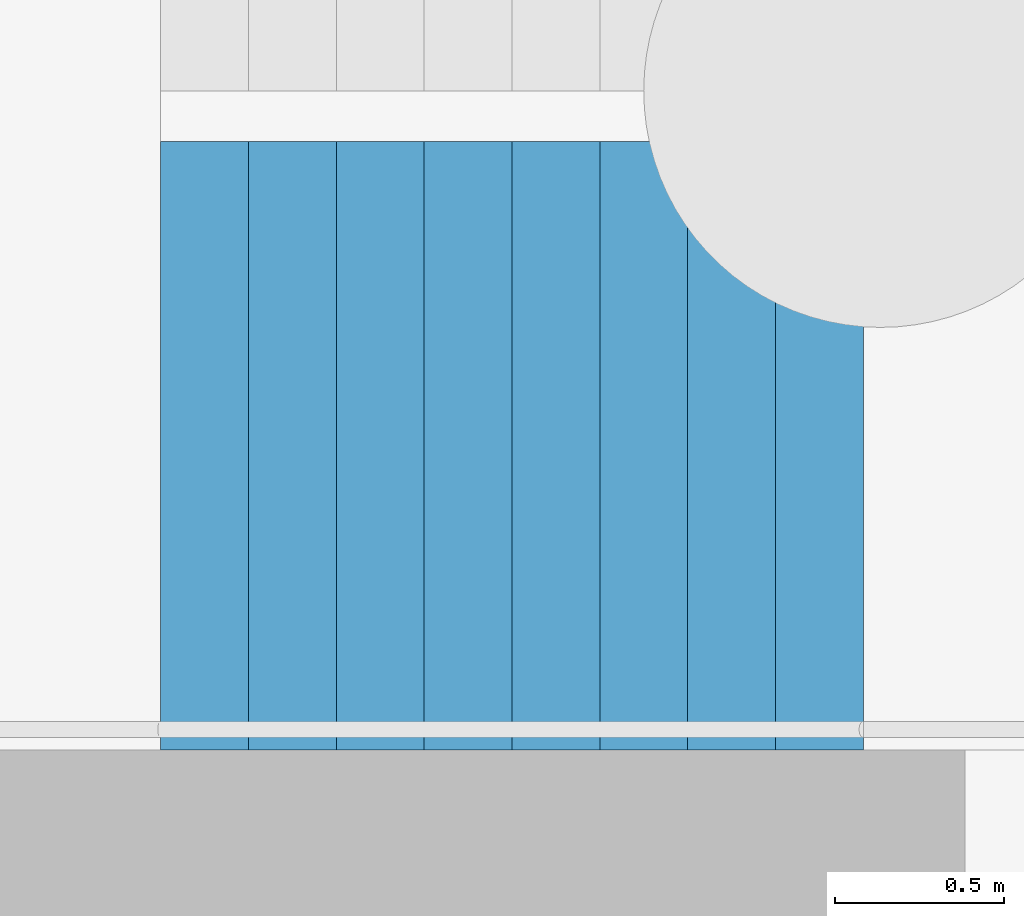
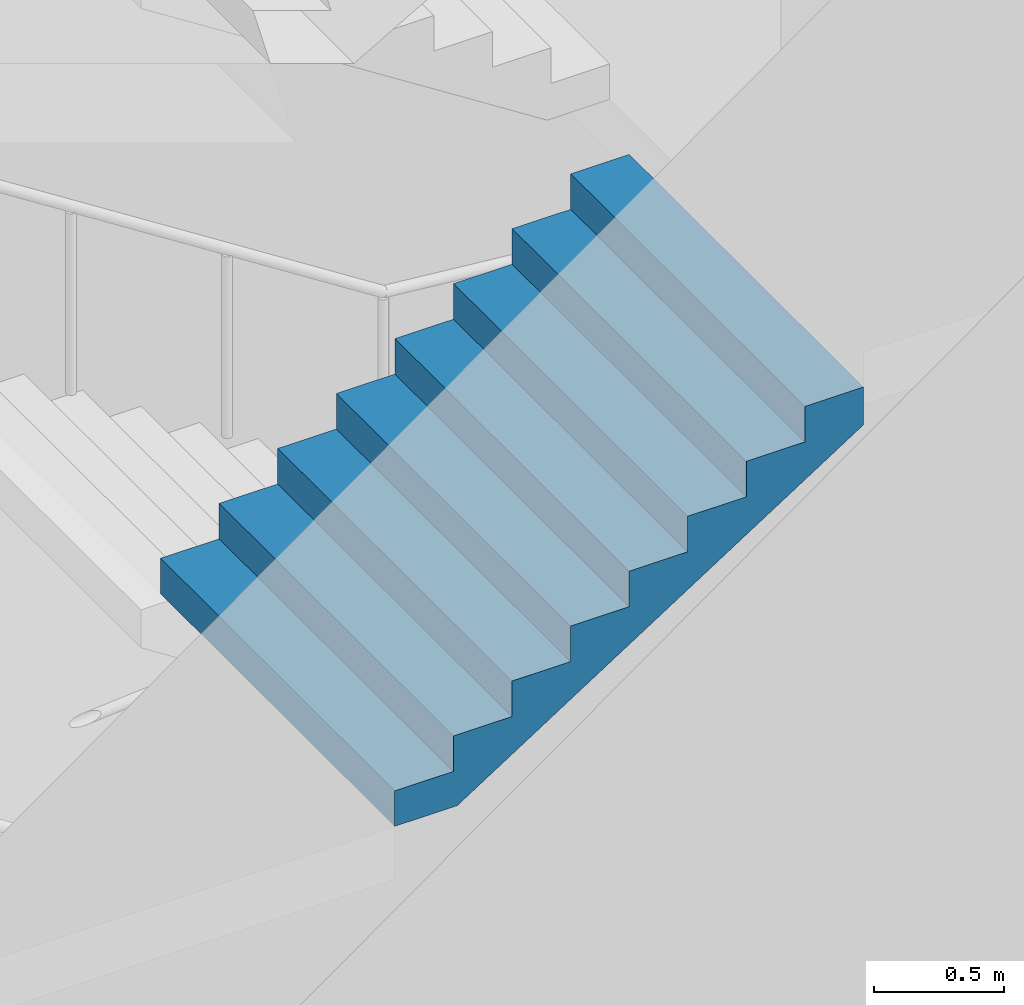
# One storey, part 53 of 113: 1 stair flight, 1 element without a shape of its own.
"""IFC4 building model written with IfcOpenShell, lengths in metres."""

from ifc_helpers import new_model, si_unit, direction, frame, origin, place, context, subcontext, project, spatial, triangles, material, type_object, element, aggregate, save


model = new_model("IFC4")

# Units and contexts
model_context = context("Model", 3, precision=1e-05, world=origin(), true_north=direction((0.0, 1.0)))
body_context = subcontext(model_context, "Body", "Model", "MODEL_VIEW")
ifc_project = project(units=[si_unit("LENGTHUNIT", "METRE"), si_unit("AREAUNIT", "SQUARE_METRE"), si_unit("VOLUMEUNIT", "CUBIC_METRE"), si_unit("PLANEANGLEUNIT", "RADIAN"), si_unit("MASSUNIT", "GRAM", prefix="KILO")], contexts=[model_context])

# Site, building, storey
site_placement = place(None, origin())
site = spatial("IfcSite", under=ifc_project, at=site_placement, CompositionType="ELEMENT")
building_placement = place(site_placement, origin())
building = spatial("IfcBuilding", under=site, at=building_placement, Name="Hakoniwa Tower and Hamabe Station Hall", CompositionType="ELEMENT")
storey_placement = place(building_placement, origin())
storey = spatial("IfcBuildingStorey", under=building, at=storey_placement, Name="L01", CompositionType="ELEMENT", Elevation=0.0)

# Stair, stair flight
ifc_material_1 = material(Name="Concrete C40", Category="concrete")
stair_type = type_object("IfcStairType", Name="ESCAPE STAIR 1800", PredefinedType="HALF_TURN_STAIR", material=ifc_material_1)
stair_placement = place(storey_placement, origin())
stair = element("IfcStair", 1, at=stair_placement, inside=storey, type_object=stair_type, Name="Escape stair ST-2 L01", PredefinedType="HALF_TURN_STAIR")
ifc_material_2 = material(Name="Concrete C40", Category="concrete")
stair_flight_type = type_object("IfcStairFlightType", Name="STAIR FLIGHT 1800", PredefinedType="STRAIGHT", material=ifc_material_2)
stair_flight_placement = place(storey_placement, frame((-25.47998046875, -6.60009765625, 4.5), z_axis=(0.0, 0.0, 1.0), x_axis=(1.0, 0.0, 0.0)))
stair_flight = element("IfcStairFlight", 2, at=stair_flight_placement, type_object=stair_flight_type, Name="ST-2 flight 4", NumberOfRisers=9, NumberOfTreads=8, PredefinedType="STRAIGHT", RiserHeight=0.166666667, TreadLength=0.26, context=body_context, shape_type="Tessellation", body=[
    triangles([(0.0, 0.89990234375, 0.0), (0.260009765625, 0.89990234375, 0.0), (0.27783203125, 0.89990234375, 0.0), (0.52001953125, 0.89990234375, 0.1552734375), (0.780029296875, 0.89990234375, 0.322021484375), (1.0400390625, 0.89990234375, 0.488525390625), (1.300048828125, 0.89990234375, 0.6552734375), (1.56005859375, 0.89990234375, 0.822021484375), (1.820068359375, 0.89990234375, 0.988525390625), (2.080078125, 0.89990234375, 1.1552734375), (2.080078125, 0.89990234375, 1.333251953125), (1.820068359375, 0.89990234375, 1.333251953125), (1.820068359375, 0.89990234375, 1.166748046875), (1.56005859375, 0.89990234375, 1.166748046875), (1.56005859375, 0.89990234375, 1.0), (1.300048828125, 0.89990234375, 1.0), (1.300048828125, 0.89990234375, 0.833251953125), (1.0400390625, 0.89990234375, 0.833251953125), (1.0400390625, 0.89990234375, 0.666748046875), (0.780029296875, 0.89990234375, 0.666748046875), (0.780029296875, 0.89990234375, 0.5), (0.52001953125, 0.89990234375, 0.5), (0.52001953125, 0.89990234375, 0.333251953125), (0.27783203125, 0.89990234375, 0.333251953125), (0.260009765625, 0.89990234375, 0.333251953125), (0.260009765625, 0.89990234375, 0.166748046875), (0.0, 0.89990234375, 0.166748046875), (0.0, 0.06005859375, 0.0), (0.260009765625, 0.06005859375, 0.0), (0.27783203125, 0.06005859375, 0.0), (0.52001953125, 0.06005859375, 0.1552734375), (0.780029296875, 0.06005859375, 0.322021484375), (1.0400390625, 0.06005859375, 0.488525390625), (1.300048828125, 0.06005859375, 0.6552734375), (1.56005859375, 0.06005859375, 0.822021484375), (1.820068359375, 0.06005859375, 0.988525390625), (2.080078125, 0.06005859375, 1.1552734375), (2.080078125, 0.06005859375, 1.333251953125), (1.820068359375, 0.06005859375, 1.333251953125), (1.820068359375, 0.06005859375, 1.166748046875), (1.56005859375, 0.06005859375, 1.166748046875), (1.56005859375, 0.06005859375, 1.0), (1.300048828125, 0.06005859375, 1.0), (1.300048828125, 0.06005859375, 0.833251953125), (1.0400390625, 0.06005859375, 0.833251953125), (1.0400390625, 0.06005859375, 0.666748046875), (0.780029296875, 0.06005859375, 0.666748046875), (0.780029296875, 0.06005859375, 0.5), (0.52001953125, 0.06005859375, 0.5), (0.52001953125, 0.06005859375, 0.333251953125), (0.27783203125, 0.06005859375, 0.333251953125), (0.260009765625, 0.06005859375, 0.333251953125), (0.260009765625, 0.06005859375, 0.166748046875), (0.0, 0.06005859375, 0.166748046875), (0.0, 0.04296875, 0.0), (0.260009765625, 0.04296875, 0.0), (0.27783203125, 0.04296875, 0.0), (0.52001953125, 0.04296875, 0.1552734375), (0.780029296875, 0.04296875, 0.322021484375), (1.0400390625, 0.04296875, 0.488525390625), (1.300048828125, 0.04296875, 0.6552734375), (1.56005859375, 0.04296875, 0.822021484375), (1.820068359375, 0.04296875, 0.988525390625), (2.080078125, 0.04296875, 1.1552734375), (2.080078125, 0.04296875, 1.333251953125), (1.820068359375, 0.04296875, 1.333251953125), (1.820068359375, 0.04296875, 1.166748046875), (1.56005859375, 0.04296875, 1.166748046875), (1.56005859375, 0.04296875, 1.0), (1.300048828125, 0.04296875, 1.0), (1.300048828125, 0.04296875, 0.833251953125), (1.0400390625, 0.04296875, 0.833251953125), (1.0400390625, 0.04296875, 0.666748046875), (0.780029296875, 0.04296875, 0.666748046875), (0.780029296875, 0.04296875, 0.5), (0.52001953125, 0.04296875, 0.5), (0.52001953125, 0.04296875, 0.333251953125), (0.27783203125, 0.04296875, 0.333251953125), (0.260009765625, 0.04296875, 0.333251953125), (0.260009765625, 0.04296875, 0.166748046875), (0.0, 0.04296875, 0.166748046875), (0.0, 0.025634765625, 0.0), (0.260009765625, 0.025634765625, 0.0), (0.27783203125, 0.025634765625, 0.0), (0.52001953125, 0.025634765625, 0.1552734375), (0.780029296875, 0.025634765625, 0.322021484375), (1.0400390625, 0.025634765625, 0.488525390625), (1.300048828125, 0.025634765625, 0.6552734375), (1.56005859375, 0.025634765625, 0.822021484375), (1.820068359375, 0.025634765625, 0.988525390625), (2.080078125, 0.025634765625, 1.1552734375), (2.080078125, 0.025634765625, 1.333251953125), (1.820068359375, 0.025634765625, 1.333251953125), (1.820068359375, 0.025634765625, 1.166748046875), (1.56005859375, 0.025634765625, 1.166748046875), (1.56005859375, 0.025634765625, 1.0), (1.300048828125, 0.025634765625, 1.0), (1.300048828125, 0.025634765625, 0.833251953125), (1.0400390625, 0.025634765625, 0.833251953125), (1.0400390625, 0.025634765625, 0.666748046875), (0.780029296875, 0.025634765625, 0.666748046875), (0.780029296875, 0.025634765625, 0.5), (0.52001953125, 0.025634765625, 0.5), (0.52001953125, 0.025634765625, 0.333251953125), (0.27783203125, 0.025634765625, 0.333251953125), (0.260009765625, 0.025634765625, 0.333251953125), (0.260009765625, 0.025634765625, 0.166748046875), (0.0, 0.025634765625, 0.166748046875), (0.0, 0.008544921875, 0.0), (0.260009765625, 0.008544921875, 0.0), (0.27783203125, 0.008544921875, 0.0), (0.52001953125, 0.008544921875, 0.1552734375), (0.780029296875, 0.008544921875, 0.322021484375), (1.0400390625, 0.008544921875, 0.488525390625), (1.300048828125, 0.008544921875, 0.6552734375), (1.56005859375, 0.008544921875, 0.822021484375), (1.820068359375, 0.008544921875, 0.988525390625), (2.080078125, 0.008544921875, 1.1552734375), (2.080078125, 0.008544921875, 1.333251953125), (1.820068359375, 0.008544921875, 1.333251953125), (1.820068359375, 0.008544921875, 1.166748046875), (1.56005859375, 0.008544921875, 1.166748046875), (1.56005859375, 0.008544921875, 1.0), (1.300048828125, 0.008544921875, 1.0), (1.300048828125, 0.008544921875, 0.833251953125), (1.0400390625, 0.008544921875, 0.833251953125), (1.0400390625, 0.008544921875, 0.666748046875), (0.780029296875, 0.008544921875, 0.666748046875), (0.780029296875, 0.008544921875, 0.5), (0.52001953125, 0.008544921875, 0.5), (0.52001953125, 0.008544921875, 0.333251953125), (0.27783203125, 0.008544921875, 0.333251953125), (0.260009765625, 0.008544921875, 0.333251953125), (0.260009765625, 0.008544921875, 0.166748046875), (0.0, 0.008544921875, 0.166748046875), (0.0, -0.008544921875, 0.0), (0.260009765625, -0.008544921875, 0.0), (0.27783203125, -0.008544921875, 0.0), (0.52001953125, -0.008544921875, 0.1552734375), (0.780029296875, -0.008544921875, 0.322021484375), (1.0400390625, -0.008544921875, 0.488525390625), (1.300048828125, -0.008544921875, 0.6552734375), (1.56005859375, -0.008544921875, 0.822021484375), (1.820068359375, -0.008544921875, 0.988525390625), (2.080078125, -0.008544921875, 1.1552734375), (2.080078125, -0.008544921875, 1.333251953125), (1.820068359375, -0.008544921875, 1.333251953125), (1.820068359375, -0.008544921875, 1.166748046875), (1.56005859375, -0.008544921875, 1.166748046875), (1.56005859375, -0.008544921875, 1.0), (1.300048828125, -0.008544921875, 1.0), (1.300048828125, -0.008544921875, 0.833251953125), (1.0400390625, -0.008544921875, 0.833251953125), (1.0400390625, -0.008544921875, 0.666748046875), (0.780029296875, -0.008544921875, 0.666748046875), (0.780029296875, -0.008544921875, 0.5), (0.52001953125, -0.008544921875, 0.5), (0.52001953125, -0.008544921875, 0.333251953125), (0.27783203125, -0.008544921875, 0.333251953125), (0.260009765625, -0.008544921875, 0.333251953125), (0.260009765625, -0.008544921875, 0.166748046875), (0.0, -0.008544921875, 0.166748046875), (0.0, -0.025634765625, 0.0), (0.260009765625, -0.025634765625, 0.0), (0.27783203125, -0.025634765625, 0.0), (0.52001953125, -0.025634765625, 0.1552734375), (0.780029296875, -0.025634765625, 0.322021484375), (1.0400390625, -0.025634765625, 0.488525390625), (1.300048828125, -0.025634765625, 0.6552734375), (1.56005859375, -0.025634765625, 0.822021484375), (1.820068359375, -0.025634765625, 0.988525390625), (2.080078125, -0.025634765625, 1.1552734375), (2.080078125, -0.025634765625, 1.333251953125), (1.820068359375, -0.025634765625, 1.333251953125), (1.820068359375, -0.025634765625, 1.166748046875), (1.56005859375, -0.025634765625, 1.166748046875), (1.56005859375, -0.025634765625, 1.0), (1.300048828125, -0.025634765625, 1.0), (1.300048828125, -0.025634765625, 0.833251953125), (1.0400390625, -0.025634765625, 0.833251953125), (1.0400390625, -0.025634765625, 0.666748046875), (0.780029296875, -0.025634765625, 0.666748046875), (0.780029296875, -0.025634765625, 0.5), (0.52001953125, -0.025634765625, 0.5), (0.52001953125, -0.025634765625, 0.333251953125), (0.27783203125, -0.025634765625, 0.333251953125), (0.260009765625, -0.025634765625, 0.333251953125), (0.260009765625, -0.025634765625, 0.166748046875), (0.0, -0.025634765625, 0.166748046875), (0.0, -0.04296875, 0.0), (0.260009765625, -0.04296875, 0.0), (0.27783203125, -0.04296875, 0.0), (0.52001953125, -0.04296875, 0.1552734375), (0.780029296875, -0.04296875, 0.322021484375), (1.0400390625, -0.04296875, 0.488525390625), (1.300048828125, -0.04296875, 0.6552734375), (1.56005859375, -0.04296875, 0.822021484375), (1.820068359375, -0.04296875, 0.988525390625), (2.080078125, -0.04296875, 1.1552734375), (2.080078125, -0.04296875, 1.333251953125), (1.820068359375, -0.04296875, 1.333251953125), (1.820068359375, -0.04296875, 1.166748046875), (1.56005859375, -0.04296875, 1.166748046875), (1.56005859375, -0.04296875, 1.0), (1.300048828125, -0.04296875, 1.0), (1.300048828125, -0.04296875, 0.833251953125), (1.0400390625, -0.04296875, 0.833251953125), (1.0400390625, -0.04296875, 0.666748046875), (0.780029296875, -0.04296875, 0.666748046875), (0.780029296875, -0.04296875, 0.5), (0.52001953125, -0.04296875, 0.5), (0.52001953125, -0.04296875, 0.333251953125), (0.27783203125, -0.04296875, 0.333251953125), (0.260009765625, -0.04296875, 0.333251953125), (0.260009765625, -0.04296875, 0.166748046875), (0.0, -0.04296875, 0.166748046875), (0.0, -0.06005859375, 0.0), (0.260009765625, -0.06005859375, 0.0), (0.27783203125, -0.06005859375, 0.0), (0.52001953125, -0.06005859375, 0.1552734375), (0.780029296875, -0.06005859375, 0.322021484375), (1.0400390625, -0.06005859375, 0.488525390625), (1.300048828125, -0.06005859375, 0.6552734375), (1.56005859375, -0.06005859375, 0.822021484375), (1.820068359375, -0.06005859375, 0.988525390625), (2.080078125, -0.06005859375, 1.1552734375), (2.080078125, -0.06005859375, 1.333251953125), (1.820068359375, -0.06005859375, 1.333251953125), (1.820068359375, -0.06005859375, 1.166748046875), (1.56005859375, -0.06005859375, 1.166748046875), (1.56005859375, -0.06005859375, 1.0), (1.300048828125, -0.06005859375, 1.0), (1.300048828125, -0.06005859375, 0.833251953125), (1.0400390625, -0.06005859375, 0.833251953125), (1.0400390625, -0.06005859375, 0.666748046875), (0.780029296875, -0.06005859375, 0.666748046875), (0.780029296875, -0.06005859375, 0.5), (0.52001953125, -0.06005859375, 0.5), (0.52001953125, -0.06005859375, 0.333251953125), (0.27783203125, -0.06005859375, 0.333251953125), (0.260009765625, -0.06005859375, 0.333251953125), (0.260009765625, -0.06005859375, 0.166748046875), (0.0, -0.06005859375, 0.166748046875), (0.0, -0.89990234375, 0.0), (0.260009765625, -0.89990234375, 0.0), (0.27783203125, -0.89990234375, 0.0), (0.52001953125, -0.89990234375, 0.1552734375), (0.780029296875, -0.89990234375, 0.322021484375), (1.0400390625, -0.89990234375, 0.488525390625), (1.300048828125, -0.89990234375, 0.6552734375), (1.56005859375, -0.89990234375, 0.822021484375), (1.820068359375, -0.89990234375, 0.988525390625), (2.080078125, -0.89990234375, 1.1552734375), (2.080078125, -0.89990234375, 1.333251953125), (1.820068359375, -0.89990234375, 1.333251953125), (1.820068359375, -0.89990234375, 1.166748046875), (1.56005859375, -0.89990234375, 1.166748046875), (1.56005859375, -0.89990234375, 1.0), (1.300048828125, -0.89990234375, 1.0), (1.300048828125, -0.89990234375, 0.833251953125), (1.0400390625, -0.89990234375, 0.833251953125), (1.0400390625, -0.89990234375, 0.666748046875), (0.780029296875, -0.89990234375, 0.666748046875), (0.780029296875, -0.89990234375, 0.5), (0.52001953125, -0.89990234375, 0.5), (0.52001953125, -0.89990234375, 0.333251953125), (0.27783203125, -0.89990234375, 0.333251953125), (0.260009765625, -0.89990234375, 0.333251953125), (0.260009765625, -0.89990234375, 0.166748046875), (0.0, -0.89990234375, 0.166748046875)], [[2, 27, 26], [245, 269, 270], [2, 1, 27], [245, 270, 244], [3, 25, 24], [246, 267, 268], [3, 26, 25], [246, 268, 269], [3, 2, 26], [246, 269, 245], [4, 24, 23], [247, 266, 267], [4, 3, 24], [247, 267, 246], [5, 22, 21], [248, 264, 265], [5, 23, 22], [248, 265, 266], [5, 4, 23], [248, 266, 247], [6, 20, 19], [249, 262, 263], [6, 21, 20], [249, 263, 264], [6, 5, 21], [249, 264, 248], [7, 18, 17], [250, 260, 261], [7, 19, 18], [250, 261, 262], [7, 6, 19], [250, 262, 249], [8, 16, 15], [251, 258, 259], [8, 17, 16], [251, 259, 260], [8, 7, 17], [251, 260, 250], [9, 14, 13], [252, 256, 257], [9, 15, 14], [252, 257, 258], [9, 8, 15], [252, 258, 251], [10, 12, 11], [253, 254, 255], [10, 13, 12], [253, 255, 256], [10, 9, 13], [253, 256, 252], [1, 2, 29], [1, 29, 28], [28, 29, 56], [28, 56, 55], [55, 56, 83], [55, 83, 82], [82, 83, 110], [82, 110, 109], [109, 110, 137], [109, 137, 136], [136, 137, 164], [136, 164, 163], [163, 164, 191], [163, 191, 190], [190, 191, 218], [190, 218, 217], [217, 218, 245], [217, 245, 244], [2, 3, 30], [2, 30, 29], [29, 30, 57], [29, 57, 56], [56, 57, 84], [56, 84, 83], [83, 84, 111], [83, 111, 110], [110, 111, 138], [110, 138, 137], [137, 138, 165], [137, 165, 164], [164, 165, 192], [164, 192, 191], [191, 192, 219], [191, 219, 218], [218, 219, 246], [218, 246, 245], [3, 4, 31], [3, 31, 30], [30, 31, 58], [30, 58, 57], [57, 58, 85], [57, 85, 84], [84, 85, 112], [84, 112, 111], [111, 112, 139], [111, 139, 138], [138, 139, 166], [138, 166, 165], [165, 166, 193], [165, 193, 192], [192, 193, 220], [192, 220, 219], [219, 220, 247], [219, 247, 246], [4, 5, 32], [4, 32, 31], [31, 32, 59], [31, 59, 58], [58, 59, 86], [58, 86, 85], [85, 86, 113], [85, 113, 112], [112, 113, 140], [112, 140, 139], [139, 140, 167], [139, 167, 166], [166, 167, 194], [166, 194, 193], [193, 194, 221], [193, 221, 220], [220, 221, 248], [220, 248, 247], [5, 6, 33], [5, 33, 32], [32, 33, 60], [32, 60, 59], [59, 60, 87], [59, 87, 86], [86, 87, 114], [86, 114, 113], [113, 114, 141], [113, 141, 140], [140, 141, 168], [140, 168, 167], [167, 168, 195], [167, 195, 194], [194, 195, 222], [194, 222, 221], [221, 222, 249], [221, 249, 248], [6, 7, 34], [6, 34, 33], [33, 34, 61], [33, 61, 60], [60, 61, 88], [60, 88, 87], [87, 88, 115], [87, 115, 114], [114, 115, 142], [114, 142, 141], [141, 142, 169], [141, 169, 168], [168, 169, 196], [168, 196, 195], [195, 196, 223], [195, 223, 222], [222, 223, 250], [222, 250, 249], [7, 8, 35], [7, 35, 34], [34, 35, 62], [34, 62, 61], [61, 62, 89], [61, 89, 88], [88, 89, 116], [88, 116, 115], [115, 116, 143], [115, 143, 142], [142, 143, 170], [142, 170, 169], [169, 170, 197], [169, 197, 196], [196, 197, 224], [196, 224, 223], [223, 224, 251], [223, 251, 250], [8, 9, 36], [8, 36, 35], [35, 36, 63], [35, 63, 62], [62, 63, 90], [62, 90, 89], [89, 90, 117], [89, 117, 116], [116, 117, 144], [116, 144, 143], [143, 144, 171], [143, 171, 170], [170, 171, 198], [170, 198, 197], [197, 198, 225], [197, 225, 224], [224, 225, 252], [224, 252, 251], [9, 10, 37], [9, 37, 36], [36, 37, 64], [36, 64, 63], [63, 64, 91], [63, 91, 90], [90, 91, 118], [90, 118, 117], [117, 118, 145], [117, 145, 144], [144, 145, 172], [144, 172, 171], [171, 172, 199], [171, 199, 198], [198, 199, 226], [198, 226, 225], [225, 226, 253], [225, 253, 252], [10, 11, 38], [10, 38, 37], [37, 38, 65], [37, 65, 64], [64, 65, 92], [64, 92, 91], [91, 92, 119], [91, 119, 118], [118, 119, 146], [118, 146, 145], [145, 146, 173], [145, 173, 172], [172, 173, 200], [172, 200, 199], [199, 200, 227], [199, 227, 226], [226, 227, 254], [226, 254, 253], [11, 12, 39], [11, 39, 38], [38, 39, 66], [38, 66, 65], [65, 66, 93], [65, 93, 92], [92, 93, 120], [92, 120, 119], [119, 120, 147], [119, 147, 146], [146, 147, 174], [146, 174, 173], [173, 174, 201], [173, 201, 200], [200, 201, 228], [200, 228, 227], [227, 228, 255], [227, 255, 254], [12, 13, 40], [12, 40, 39], [39, 40, 67], [39, 67, 66], [66, 67, 94], [66, 94, 93], [93, 94, 121], [93, 121, 120], [120, 121, 148], [120, 148, 147], [147, 148, 175], [147, 175, 174], [174, 175, 202], [174, 202, 201], [201, 202, 229], [201, 229, 228], [228, 229, 256], [228, 256, 255], [13, 14, 41], [13, 41, 40], [40, 41, 68], [40, 68, 67], [67, 68, 95], [67, 95, 94], [94, 95, 122], [94, 122, 121], [121, 122, 149], [121, 149, 148], [148, 149, 176], [148, 176, 175], [175, 176, 203], [175, 203, 202], [202, 203, 230], [202, 230, 229], [229, 230, 257], [229, 257, 256], [14, 15, 42], [14, 42, 41], [41, 42, 69], [41, 69, 68], [68, 69, 96], [68, 96, 95], [95, 96, 123], [95, 123, 122], [122, 123, 150], [122, 150, 149], [149, 150, 177], [149, 177, 176], [176, 177, 204], [176, 204, 203], [203, 204, 231], [203, 231, 230], [230, 231, 258], [230, 258, 257], [15, 16, 43], [15, 43, 42], [42, 43, 70], [42, 70, 69], [69, 70, 97], [69, 97, 96], [96, 97, 124], [96, 124, 123], [123, 124, 151], [123, 151, 150], [150, 151, 178], [150, 178, 177], [177, 178, 205], [177, 205, 204], [204, 205, 232], [204, 232, 231], [231, 232, 259], [231, 259, 258], [16, 17, 44], [16, 44, 43], [43, 44, 71], [43, 71, 70], [70, 71, 98], [70, 98, 97], [97, 98, 125], [97, 125, 124], [124, 125, 152], [124, 152, 151], [151, 152, 179], [151, 179, 178], [178, 179, 206], [178, 206, 205], [205, 206, 233], [205, 233, 232], [232, 233, 260], [232, 260, 259], [17, 18, 45], [17, 45, 44], [44, 45, 72], [44, 72, 71], [71, 72, 99], [71, 99, 98], [98, 99, 126], [98, 126, 125], [125, 126, 153], [125, 153, 152], [152, 153, 180], [152, 180, 179], [179, 180, 207], [179, 207, 206], [206, 207, 234], [206, 234, 233], [233, 234, 261], [233, 261, 260], [18, 19, 46], [18, 46, 45], [45, 46, 73], [45, 73, 72], [72, 73, 100], [72, 100, 99], [99, 100, 127], [99, 127, 126], [126, 127, 154], [126, 154, 153], [153, 154, 181], [153, 181, 180], [180, 181, 208], [180, 208, 207], [207, 208, 235], [207, 235, 234], [234, 235, 262], [234, 262, 261], [19, 20, 47], [19, 47, 46], [46, 47, 74], [46, 74, 73], [73, 74, 101], [73, 101, 100], [100, 101, 128], [100, 128, 127], [127, 128, 155], [127, 155, 154], [154, 155, 182], [154, 182, 181], [181, 182, 209], [181, 209, 208], [208, 209, 236], [208, 236, 235], [235, 236, 263], [235, 263, 262], [20, 21, 48], [20, 48, 47], [47, 48, 75], [47, 75, 74], [74, 75, 102], [74, 102, 101], [101, 102, 129], [101, 129, 128], [128, 129, 156], [128, 156, 155], [155, 156, 183], [155, 183, 182], [182, 183, 210], [182, 210, 209], [209, 210, 237], [209, 237, 236], [236, 237, 264], [236, 264, 263], [21, 22, 49], [21, 49, 48], [48, 49, 76], [48, 76, 75], [75, 76, 103], [75, 103, 102], [102, 103, 130], [102, 130, 129], [129, 130, 157], [129, 157, 156], [156, 157, 184], [156, 184, 183], [183, 184, 211], [183, 211, 210], [210, 211, 238], [210, 238, 237], [237, 238, 265], [237, 265, 264], [22, 23, 50], [22, 50, 49], [49, 50, 77], [49, 77, 76], [76, 77, 104], [76, 104, 103], [103, 104, 131], [103, 131, 130], [130, 131, 158], [130, 158, 157], [157, 158, 185], [157, 185, 184], [184, 185, 212], [184, 212, 211], [211, 212, 239], [211, 239, 238], [238, 239, 266], [238, 266, 265], [23, 24, 51], [23, 51, 50], [50, 51, 78], [50, 78, 77], [77, 78, 105], [77, 105, 104], [104, 105, 132], [104, 132, 131], [131, 132, 159], [131, 159, 158], [158, 159, 186], [158, 186, 185], [185, 186, 213], [185, 213, 212], [212, 213, 240], [212, 240, 239], [239, 240, 267], [239, 267, 266], [24, 25, 52], [24, 52, 51], [51, 52, 79], [51, 79, 78], [78, 79, 106], [78, 106, 105], [105, 106, 133], [105, 133, 132], [132, 133, 160], [132, 160, 159], [159, 160, 187], [159, 187, 186], [186, 187, 214], [186, 214, 213], [213, 214, 241], [213, 241, 240], [240, 241, 268], [240, 268, 267], [25, 26, 53], [25, 53, 52], [52, 53, 80], [52, 80, 79], [79, 80, 107], [79, 107, 106], [106, 107, 134], [106, 134, 133], [133, 134, 161], [133, 161, 160], [160, 161, 188], [160, 188, 187], [187, 188, 215], [187, 215, 214], [214, 215, 242], [214, 242, 241], [241, 242, 269], [241, 269, 268], [26, 27, 54], [26, 54, 53], [53, 54, 81], [53, 81, 80], [80, 81, 108], [80, 108, 107], [107, 108, 135], [107, 135, 134], [134, 135, 162], [134, 162, 161], [161, 162, 189], [161, 189, 188], [188, 189, 216], [188, 216, 215], [215, 216, 243], [215, 243, 242], [242, 243, 270], [242, 270, 269], [27, 1, 28], [27, 28, 54], [54, 28, 55], [54, 55, 81], [81, 55, 82], [81, 82, 108], [108, 82, 109], [108, 109, 135], [135, 109, 136], [135, 136, 162], [162, 136, 163], [162, 163, 189], [189, 163, 190], [189, 190, 216], [216, 190, 217], [216, 217, 243], [243, 217, 244], [243, 244, 270]], closed=True),
])
aggregate(stair, [stair_flight])

save(model, "model.ifc")
